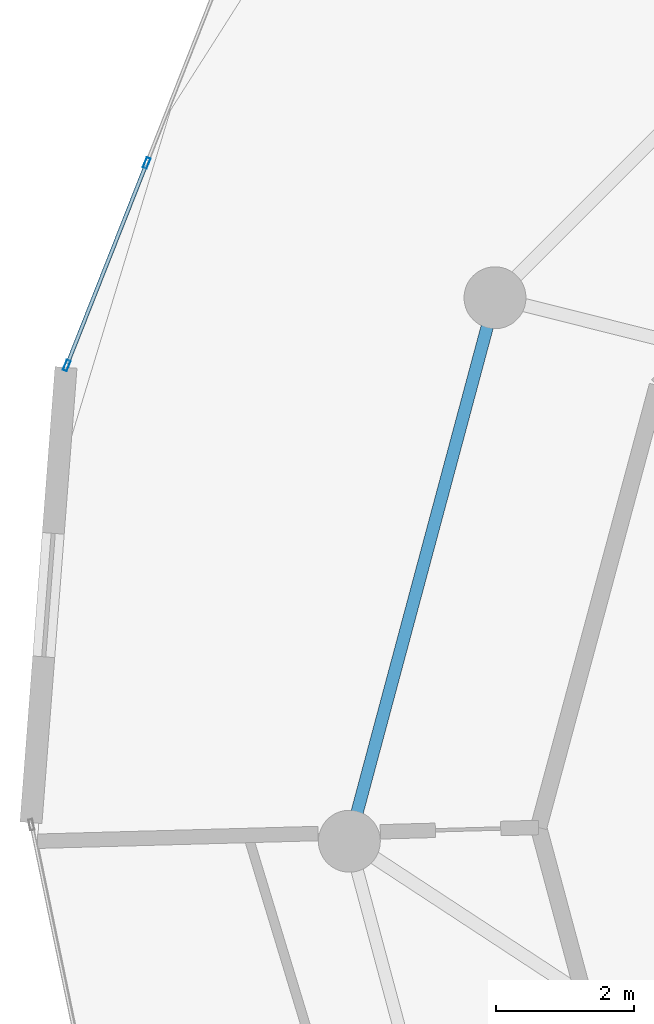
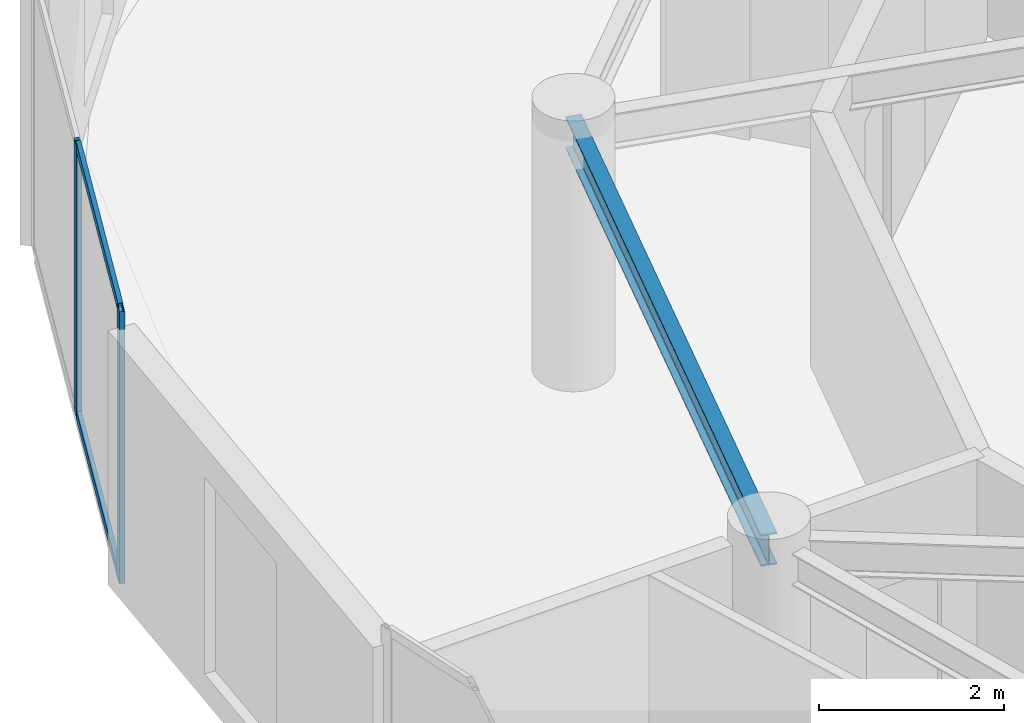
# One storey, part 9 of 21: 4 members, 1 beam, 1 element without a shape of its own.
"""IFC4 building model written with IfcOpenShell, lengths in metres."""

from ifc_helpers import new_model, si_unit, direction, frame, origin, origin_2d, place, context, subcontext, project, spatial, hollow_rectangle, i_section, extrude, source, transform, mapped, material, layer, layer_set, material_profile, profile_set, type_object, element, aggregate, save


model = new_model("IFC4")

# Units and contexts
model_context = context("Model", 3, precision=1e-05, world=origin(), true_north=direction((0.0, 1.0)))
body_context = subcontext(model_context, "Body", "Model", "MODEL_VIEW")
ifc_project = project(units=[si_unit("LENGTHUNIT", "METRE"), si_unit("AREAUNIT", "SQUARE_METRE"), si_unit("VOLUMEUNIT", "CUBIC_METRE"), si_unit("PLANEANGLEUNIT", "RADIAN"), si_unit("MASSUNIT", "GRAM", prefix="KILO")], contexts=[model_context])

# Site, building, storey
site_placement = place(None, origin())
site = spatial("IfcSite", under=ifc_project, at=site_placement, CompositionType="ELEMENT")
building_placement = place(site_placement, origin())
building = spatial("IfcBuilding", under=site, at=building_placement, Name="Solvirekh Grand Hotel", CompositionType="ELEMENT")
storey_placement = place(building_placement, frame((0.0, 0.0, 220.0)))
storey = spatial("IfcBuildingStorey", under=building, at=storey_placement, Name="L57", CompositionType="ELEMENT", Elevation=220.0)

# Beam
ifc_material_1 = material(Name="Steel S355", Category="steel")
ifc_material_profile_1 = material_profile(ifc_material_1, i_section(OverallWidth=0.180908203125, OverallDepth=0.4169921875, WebThickness=0.010009765625, FlangeThickness=0.01611328125, FilletRadius=0.011962890625, at=origin_2d()), Name="W410X85")
ifc_profile_set_1 = profile_set([ifc_material_profile_1], Name="Steel S355")
beam_type = type_object("IfcBeamType", Name="Spandrel_Ring_W410", PredefinedType="SPANDREL", material=ifc_profile_set_1)
beam_placement = place(storey_placement, frame((-13.68310546875, 7.89990234375, 3.152099609375), z_axis=(-0.258838541915, -0.965920601923, 0.0), x_axis=(0.965920601923, -0.258838541915, 0.0)))
element("IfcBeam", 1, at=beam_placement, inside=storey, type_object=beam_type, Name="L57 perimeter spandrel beam 6", PredefinedType="SPANDREL", context=body_context, shape_type="SweptSolid", body=[
    extrude(i_section(OverallWidth=0.180908203125, OverallDepth=0.4169921875, WebThickness=0.010009765625, FlangeThickness=0.01611328125, FilletRadius=0.011962890625, at=origin_2d()), origin(), (0.0, 0.0, 1.0), 8.1787109375),
])

# Curtain wall, members
ifc_material_2 = material(Name="Anodized Bronze Aluminium 6063-T6", Category="aluminium")
ifc_layer = layer(ifc_material_2, 0.159912109375)
ifc_layer_set = layer_set([ifc_layer], Name="Anodized Bronze Aluminium 6063-T6")
curtain_wall_type = type_object("IfcCurtainWallType", Name="CW_Sys4_HighZoneFlushBronzeCW", PredefinedType="NOTDEFINED", material=ifc_layer_set)
curtain_wall_placement = place(storey_placement, origin())
curtain_wall = element("IfcCurtainWall", 2, at=curtain_wall_placement, inside=storey, type_object=curtain_wall_type, Name="L57 unitised bronze-glass curtain wall CW-L57-C13", PredefinedType="NOTDEFINED")
ifc_material_profile_2 = material_profile(ifc_material_2, hollow_rectangle(XDim=0.06005859375, YDim=0.159912109375, WallThickness=0.0048828125, at=origin_2d()), Name="ALU RHS 160X60X5")
ifc_profile_set_2 = profile_set([ifc_material_profile_2], Name="Anodized Bronze Aluminium 6063-T6")
member_type_1 = type_object("IfcMemberType", Name="CWMullion_Sys4", PredefinedType="MULLION", material=ifc_profile_set_2)
shared_shape_1 = source(origin(), body_context, "Body", "SweptSolid", [
    extrude(hollow_rectangle(XDim=0.06005859375, YDim=0.159912109375, WallThickness=0.0048828125, at=origin_2d()), origin(), (0.0, 0.0, 1.0), 3.60009765625),
])
member_1_placement = place(storey_placement, frame((-18.74609375, 9.8583984375, 0.0), z_axis=(0.0, 0.0, 1.0), x_axis=(0.930151001354, -0.367177225165, 0.0)))
member_1 = element("IfcMember", 3, at=member_1_placement, type_object=member_type_1, Name="U04 mullion 2", PredefinedType="MULLION", context=body_context, shape_type="MappedRepresentation", body=[
    mapped(shared_shape_1, transform((0.0, 0.0, 0.0), x_axis=(1.0, 0.0, 0.0), y_axis=(0.0, 1.0, 0.0), z_axis=(0.0, 0.0, 1.0), scale=1.0)),
])
member_2_placement = place(storey_placement, frame((-19.907958984375, 6.914794921875, 0.0), z_axis=(0.0, 0.0, 1.0), x_axis=(0.930151001354, -0.367177225165, 0.0)))
member_2 = element("IfcMember", 4, at=member_2_placement, type_object=member_type_1, Name="U04 mullion 3", PredefinedType="MULLION", context=body_context, shape_type="MappedRepresentation", body=[
    mapped(shared_shape_1, transform((0.0, 0.0, 0.0), x_axis=(1.0, 0.0, 0.0), y_axis=(0.0, 1.0, 0.0), z_axis=(0.0, 0.0, 1.0), scale=1.0)),
])
ifc_material_profile_3 = material_profile(ifc_material_2, hollow_rectangle(XDim=0.054931640625, YDim=0.1201171875, WallThickness=0.00390625, at=origin_2d()), Name="ALU RHS 120X55X4")
ifc_profile_set_3 = profile_set([ifc_material_profile_3], Name="Anodized Bronze Aluminium 6063-T6")
member_type_2 = type_object("IfcMemberType", Name="CWTransom_Sys4", PredefinedType="USERDEFINED", material=ifc_profile_set_3)
shared_shape_2 = source(origin(), body_context, "Body", "SweptSolid", [
    extrude(hollow_rectangle(XDim=0.054931640625, YDim=0.1201171875, WallThickness=0.00390625, at=origin_2d()), origin(), (0.0, 0.0, 1.0), 3.1044921875),
])
member_3_placement = place(storey_placement, frame((-18.757080078125, 9.83056640625, 0.027587890625), z_axis=(-0.367170115704, -0.930153807784, 0.0), x_axis=(0.930153807784, -0.367170115704, 0.0)))
member_3 = element("IfcMember", 5, at=member_3_placement, type_object=member_type_2, Name="U04 transom 2.1", ObjectType="TRANSOM", PredefinedType="USERDEFINED", context=body_context, shape_type="MappedRepresentation", body=[
    mapped(shared_shape_2, transform((0.0, 0.0, 0.0), x_axis=(1.0, 0.0, 0.0), y_axis=(0.0, 1.0, 0.0), z_axis=(0.0, 0.0, 1.0), scale=1.0)),
])
member_4_placement = place(storey_placement, frame((-18.757080078125, 9.83056640625, 3.572509765625), z_axis=(-0.367170115704, -0.930153807784, 0.0), x_axis=(0.930153807784, -0.367170115704, 0.0)))
member_4 = element("IfcMember", 6, at=member_4_placement, type_object=member_type_2, Name="U04 transom 2.2", ObjectType="TRANSOM", PredefinedType="USERDEFINED", context=body_context, shape_type="MappedRepresentation", body=[
    mapped(shared_shape_2, transform((0.0, 0.0, 0.0), x_axis=(1.0, 0.0, 0.0), y_axis=(0.0, 1.0, 0.0), z_axis=(0.0, 0.0, 1.0), scale=1.0)),
])
aggregate(curtain_wall, [member_1, member_2, member_3, member_4])

save(model, "model.ifc")
